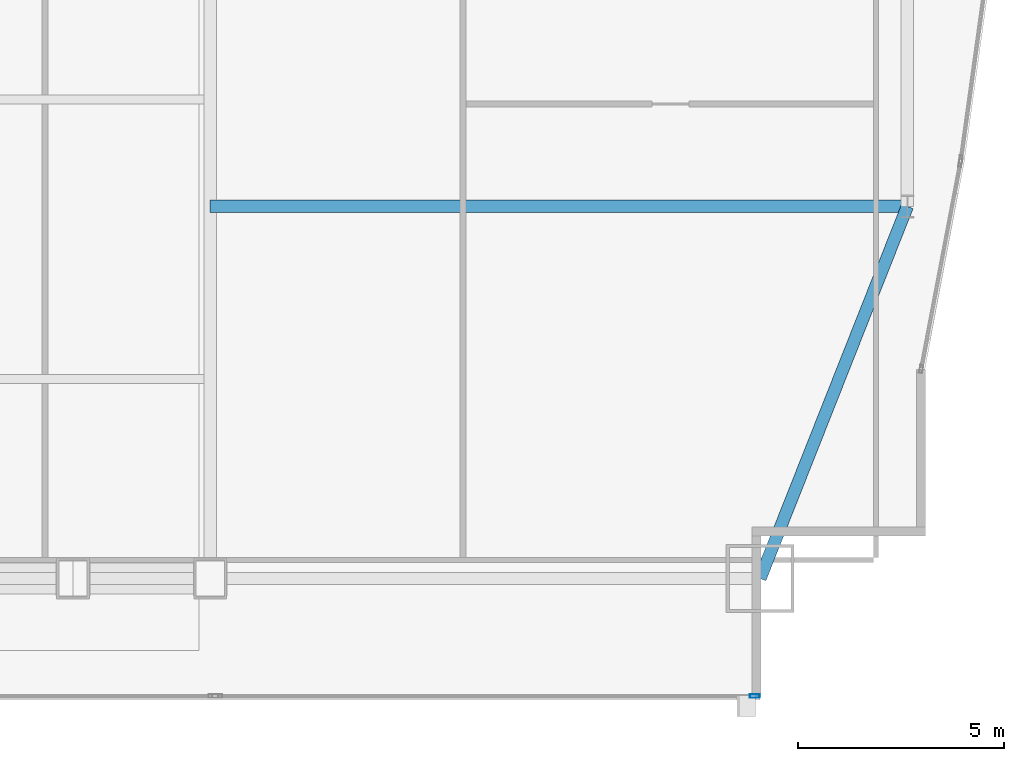
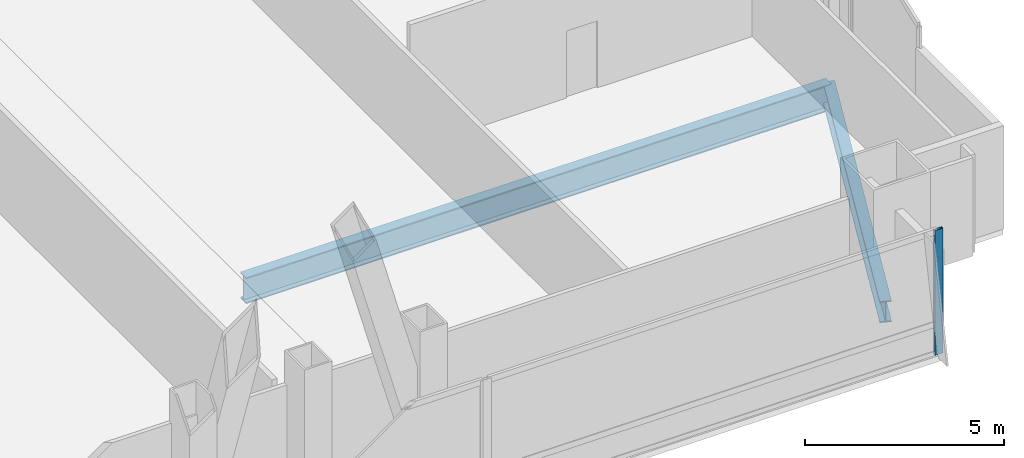
# One storey, part 21 of 37: 2 beams, 1 member, 1 element without a shape of its own.
"""IFC4 building model written with IfcOpenShell, lengths in metres."""

import ifcopenshell
import ifcopenshell.guid

model = None  # the IFC model being written
_history = None  # IfcOwnerHistory: only IFC2X3 demands one
_inside = {}  # id of a spatial element -> (the spatial element, [elements in it])
_under = {}  # id of a project, library or spatial element -> (it, [spatial elements below it])
_declared = {}  # id of a project -> (the project, [libraries it declares])
_typed = {}  # id of a type object -> (the type object, [elements of that type])
_made_of = {}  # id of a material, layer set ... -> (it, [elements and type objects made of it])


def new_model(schema):
    """Start an empty IFC model of exactly this schema.

    Asked for "IFC4X3", IfcOpenShell would pick the latest addendum, in which some entities
    have other attributes; the version numbers below select the first issue.
    IFC2X3 requires an IfcOwnerHistory on every rooted entity: one is made here for all.
    """
    global model, _history
    if schema == "IFC4X3":
        model = ifcopenshell.file(schema_version=(4, 3, 0, 0))
    else:
        model = ifcopenshell.file(schema=schema)
    _inside.clear()
    _under.clear()
    _declared.clear()
    _typed.clear()
    _made_of.clear()
    _history = None
    if model.schema == "IFC2X3":
        org = make("IfcOrganization", Name="unknown")
        user = make(
            "IfcPersonAndOrganization",
            ThePerson=make("IfcPerson", FamilyName="unknown"),
            TheOrganization=org,
        )
        app = make(
            "IfcApplication",
            ApplicationDeveloper=org,
            Version="unknown",
            ApplicationFullName="unknown",
            ApplicationIdentifier="unknown",
        )
        _history = make(
            "IfcOwnerHistory",
            OwningUser=user,
            OwningApplication=app,
            ChangeAction="ADDED",
            CreationDate=0,
        )
    return model


def make(cls, **values):
    """One entity of the class cls with the attributes given. An attribute that is None is left unset."""
    return model.create_entity(
        cls, **{name: value for name, value in values.items() if value is not None}
    )


def rooted(cls, **values):
    """An entity with a GlobalId (a new one), such as an element, a storey or a relation."""
    return make(cls, GlobalId=ifcopenshell.guid.new(), OwnerHistory=_history, **values)


def si_unit(unit_type, name, prefix=None):
    """IfcSIUnit, for example si_unit("LENGTHUNIT", "METRE", prefix="MILLI")."""
    return make("IfcSIUnit", UnitType=unit_type, Prefix=prefix, Name=name)


def assignment(units):
    """IfcUnitAssignment: the units of a project."""
    return None if units is None else make("IfcUnitAssignment", Units=units)


def point(xyz):
    """IfcCartesianPoint."""
    return None if xyz is None else make("IfcCartesianPoint", Coordinates=xyz)


def direction(xyz):
    """IfcDirection."""
    return None if xyz is None else make("IfcDirection", DirectionRatios=xyz)


def frame(location, z_axis=None, x_axis=None):
    """IfcAxis2Placement3D, a coordinate frame: its origin and axes. An axis left out is left unset."""
    return make(
        "IfcAxis2Placement3D",
        Location=point(location),
        Axis=direction(z_axis),
        RefDirection=direction(x_axis),
    )


def frame_2d(location, x_axis=None):
    """IfcAxis2Placement2D, a coordinate frame in the plane: its origin and x axis."""
    return make(
        "IfcAxis2Placement2D", Location=point(location), RefDirection=direction(x_axis)
    )


def origin():
    """The frame at (0, 0, 0) with its axes left unset."""
    return frame((0.0, 0.0, 0.0))


def origin_2d():
    """The frame at (0, 0) in the plane with its x axis left unset."""
    return frame_2d((0.0, 0.0))


def place(relative_to, where):
    """IfcLocalPlacement: puts the frame where relative to a parent placement (None: the world)."""
    return make(
        "IfcLocalPlacement", PlacementRelTo=relative_to, RelativePlacement=where
    )


def context(
    kind, dimensions, precision=None, world=None, true_north=None, identifier=None
):
    """IfcGeometricRepresentationContext, for example the 3D "Model" context."""
    return make(
        "IfcGeometricRepresentationContext",
        ContextIdentifier=identifier,
        ContextType=kind,
        CoordinateSpaceDimension=dimensions,
        Precision=precision,
        WorldCoordinateSystem=world,
        TrueNorth=true_north,
    )


def subcontext(parent, identifier, kind, view, scale=None):
    """IfcGeometricRepresentationSubContext, for example "Body" below "Model"."""
    return make(
        "IfcGeometricRepresentationSubContext",
        ContextIdentifier=identifier,
        ContextType=kind,
        ParentContext=parent,
        TargetScale=scale,
        TargetView=view,
    )


def project(units=None, contexts=None):
    """IfcProject with its units and contexts."""
    return rooted(
        "IfcProject",
        Name="project",
        RepresentationContexts=contexts,
        UnitsInContext=assignment(units),
    )


def spatial(cls, under=None, at=None, **own):
    """A site, building, storey or space (cls), placed at a placement, below another one or the project."""
    s = rooted(cls, ObjectPlacement=at, **own)
    if under is not None:
        _under.setdefault(under.id(), (under, []))[1].append(s)
    return s


def profile(cls, at=None, kind="AREA", **sizes):
    """A parametric profile (cls). Its sizes go by their IFC names, for example OverallWidth=200.0."""
    return make(cls, ProfileType=kind, Position=at, **sizes)


def hollow_rectangle(**sizes):
    """IfcRectangleHollowProfileDef."""
    return profile("IfcRectangleHollowProfileDef", **sizes)


def i_section(**sizes):
    """IfcIShapeProfileDef."""
    return profile("IfcIShapeProfileDef", **sizes)


def extrude(swept, where, along, depth):
    """IfcExtrudedAreaSolid: the profile swept, set in the frame where, extruded along a direction by depth."""
    return make(
        "IfcExtrudedAreaSolid",
        SweptArea=swept,
        Position=where,
        ExtrudedDirection=direction(along),
        Depth=depth,
    )


def shape(context_of_items, identifier, shape_type, items):
    """IfcShapeRepresentation: the items that make up one representation, for example the "Body"."""
    return make(
        "IfcShapeRepresentation",
        ContextOfItems=context_of_items,
        RepresentationIdentifier=identifier,
        RepresentationType=shape_type,
        Items=items,
    )


def material(Name=None, Category=None):
    """IfcMaterial."""
    return make("IfcMaterial", Name=Name, Category=Category)


def material_profile(
    of_material, cross_section, Name=None, Category=None, Priority=None
):
    """IfcMaterialProfile: a cross section and its material."""
    return make(
        "IfcMaterialProfile",
        Name=Name,
        Material=of_material,
        Profile=cross_section,
        Priority=Priority,
        Category=Category,
    )


def profile_set(profiles, Name=None, composite=None):
    """IfcMaterialProfileSet."""
    return make(
        "IfcMaterialProfileSet",
        Name=Name,
        MaterialProfiles=profiles,
        CompositeProfile=composite,
    )


def made_of(thing, what):
    """Note that an element or type object is made of a material, layer set ...; save() writes the relation."""
    if what is not None:
        _made_of.setdefault(what.id(), (what, []))[1].append(thing)
    return thing


def type_object(cls, material=None, **own):
    """A type object (cls), such as IfcWallType, which elements share."""
    return made_of(rooted(cls, **own), material)


def element(
    cls,
    number,
    at=None,
    inside=None,
    cuts=None,
    type_object=None,
    material=None,
    context=None,
    identifier="Body",
    shape_type=None,
    held_by="IfcProductDefinitionShape",
    body=None,
    shapes=None,
    **own,
):
    """One element of the class cls, such as IfcWall. Its Tag is "e" and its number.

    at: its placement. inside: the storey or other place that contains it. cuts: it is an
    opening in that element (IfcRelVoidsElement). A single representation is given by context,
    identifier, shape_type and body (its items); several are given by shapes. held_by: the class
    of the entity that holds the representations. save() writes the other relations.
    """
    e = rooted(cls, Tag="e%d" % number, ObjectPlacement=at, **own)
    if body is not None:
        shapes = [shape(context, identifier, shape_type, body)]
    if shapes is not None:
        e.Representation = make(held_by, Representations=shapes)
    if inside is not None:
        _inside.setdefault(inside.id(), (inside, []))[1].append(e)
    if cuts is not None:
        rooted(
            "IfcRelVoidsElement", RelatingBuildingElement=cuts, RelatedOpeningElement=e
        )
    if type_object is not None:
        _typed.setdefault(type_object.id(), (type_object, []))[1].append(e)
    return made_of(e, material)


def aggregate(whole, parts):
    """IfcRelAggregates: a whole, such as a stair, and the parts it consists of."""
    return rooted("IfcRelAggregates", RelatingObject=whole, RelatedObjects=parts)


def save(model, path):
    """Write the relations noted so far, then the file.

    IfcRelAggregates (storeys below a building ...), IfcRelContainedInSpatialStructure (elements
    in a storey), IfcRelDefinesByType, IfcRelAssociatesMaterial and IfcRelDeclares: one each for
    every whole, place, type object, material and project.
    """
    for whole, parts in _under.values():
        aggregate(whole, parts)
    for where, things in _inside.values():
        rooted(
            "IfcRelContainedInSpatialStructure",
            RelatedElements=things,
            RelatingStructure=where,
        )
    for kind, things in _typed.values():
        rooted("IfcRelDefinesByType", RelatedObjects=things, RelatingType=kind)
    for what, things in _made_of.values():
        rooted("IfcRelAssociatesMaterial", RelatedObjects=things, RelatingMaterial=what)
    for by, libraries in _declared.values():
        rooted("IfcRelDeclares", RelatingContext=by, RelatedDefinitions=libraries)
    model.write(path)


model = new_model("IFC4")

# Units and contexts
model_context = context("Model", 3, precision=1e-05, world=origin(), true_north=direction((0.0, 1.0)))
body_context = subcontext(model_context, "Body", "Model", "MODEL_VIEW")
ifc_project = project(units=[si_unit("LENGTHUNIT", "METRE"), si_unit("AREAUNIT", "SQUARE_METRE"), si_unit("VOLUMEUNIT", "CUBIC_METRE"), si_unit("PLANEANGLEUNIT", "RADIAN"), si_unit("MASSUNIT", "GRAM", prefix="KILO")], contexts=[model_context])

# Site, building, storey
site_placement = place(None, origin())
site = spatial("IfcSite", under=ifc_project, at=site_placement, CompositionType="ELEMENT")
building_placement = place(site_placement, origin())
building = spatial("IfcBuilding", under=site, at=building_placement, Name="Khoronbel Lancet Exchange", CompositionType="ELEMENT")
storey_placement = place(building_placement, frame((0.0, 0.0, 61.800048828125)))
storey = spatial("IfcBuildingStorey", under=building, at=storey_placement, Name="L14", CompositionType="ELEMENT", Elevation=61.800048828125)

# Beams
ifc_material_1 = material(Name="Steel S355", Category="steel")
ifc_material_profile_1 = material_profile(ifc_material_1, i_section(OverallWidth=0.300048828125, OverallDepth=0.800048828125, WebThickness=0.017578125, FlangeThickness=0.032958984375, at=origin_2d()), Name="HEB 800")
ifc_profile_set_1 = profile_set([ifc_material_profile_1], Name="Steel S355")
beam_type_1 = type_object("IfcBeamType", Name="BM-BG2", PredefinedType="BEAM", material=ifc_profile_set_1)
beam_1_placement = place(storey_placement, frame((54.675048828125, 19.199951171875, -0.580078125), z_axis=(1.0, 0.0, 0.0), x_axis=(0.0, 1.0, 0.0)))
element("IfcBeam", 1, at=beam_1_placement, inside=storey, type_object=beam_type_1, Name="Level L14 east lens tie girder LG1E", PredefinedType="BEAM", context=body_context, shape_type="SweptSolid", body=[
    extrude(i_section(OverallWidth=0.300048828125, OverallDepth=0.800048828125, WebThickness=0.017578125, FlangeThickness=0.032958984375, at=origin_2d()), origin(), (0.0, 0.0, 1.0), 16.954833984375),
])
ifc_material_profile_2 = material_profile(ifc_material_1, i_section(OverallWidth=0.300048828125, OverallDepth=0.64990234375, WebThickness=0.01611328125, FlangeThickness=0.031005859375, at=origin_2d()), Name="HEB 650")
ifc_profile_set_2 = profile_set([ifc_material_profile_2], Name="Steel S355")
beam_type_2 = type_object("IfcBeamType", Name="BM-BSP1", PredefinedType="SPANDREL", material=ifc_profile_set_2)
beam_2_placement = place(storey_placement, frame((68.050048828125, 10.14990234375, -0.505126953125), z_axis=(0.367828403855, 0.929893684954, 0.0), x_axis=(-0.929893684954, 0.367828403855, 0.0)))
element("IfcBeam", 2, at=beam_2_placement, inside=storey, type_object=beam_type_2, Name="Level L14 perimeter spandrel beam SP10", PredefinedType="SPANDREL", context=body_context, shape_type="SweptSolid", body=[
    extrude(i_section(OverallWidth=0.300048828125, OverallDepth=0.64990234375, WebThickness=0.01611328125, FlangeThickness=0.031005859375, at=origin_2d()), origin(), (0.0, 0.0, 1.0), 9.732421875),
])

# Curtain wall, member
ifc_material_2 = material(Name="Low-E Solar Control Insulating Glass", Category="glass")
curtain_wall_type = type_object("IfcCurtainWallType", Name="CW-1", PredefinedType="NOTDEFINED", material=ifc_material_2)
curtain_wall_placement = place(storey_placement, origin())
curtain_wall = element("IfcCurtainWall", 3, at=curtain_wall_placement, inside=storey, type_object=curtain_wall_type, Name="Unitised curtain wall CW-L14-SEV", PredefinedType="NOTDEFINED")
ifc_material_3 = material(Name="Bronze-Anodised Aluminium 6063-T6", Category="aluminium")
ifc_material_profile_3 = material_profile(ifc_material_3, hollow_rectangle(XDim=0.0849609375, YDim=0.239990234375, WallThickness=0.006103515625, at=origin_2d()), Name="ALU MULLION 85x240")
ifc_profile_set_3 = profile_set([ifc_material_profile_3], Name="Bronze-Anodised Aluminium 6063-T6")
member_type = type_object("IfcMemberType", Name="MEM-CWM1", PredefinedType="MULLION", material=ifc_profile_set_3)
member_placement = place(storey_placement, frame((67.91748046875, 7.2900390625, 0.0), z_axis=(0.0, 0.0, 1.0), x_axis=(0.0, 1.0, 0.0)))
member = element("IfcMember", 4, at=member_placement, type_object=member_type, Name="CW1 mullion 2", PredefinedType="MULLION", context=body_context, shape_type="SweptSolid", body=[
    extrude(hollow_rectangle(XDim=0.0849609375, YDim=0.239990234375, WallThickness=0.006103515625, at=origin_2d()), origin(), (0.0, 0.0, 1.0), 3.820068359375),
])
aggregate(curtain_wall, [member])

save(model, "model.ifc")
